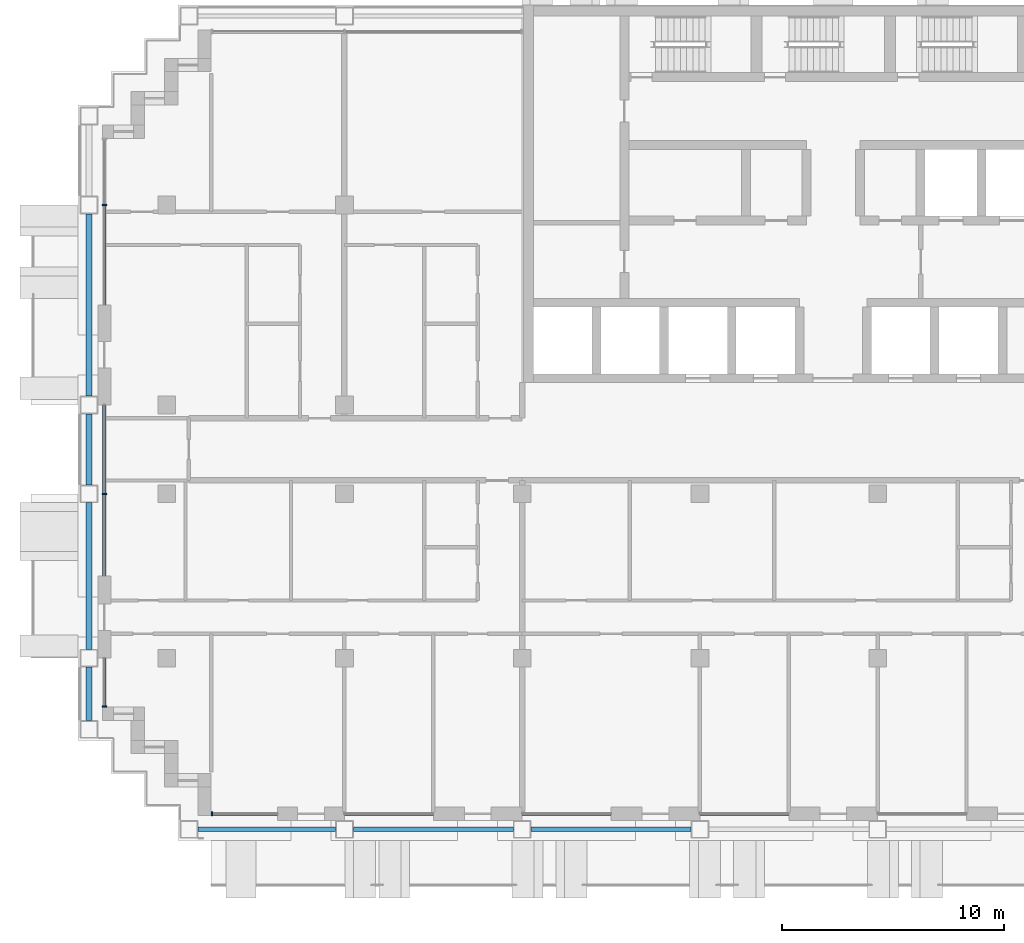
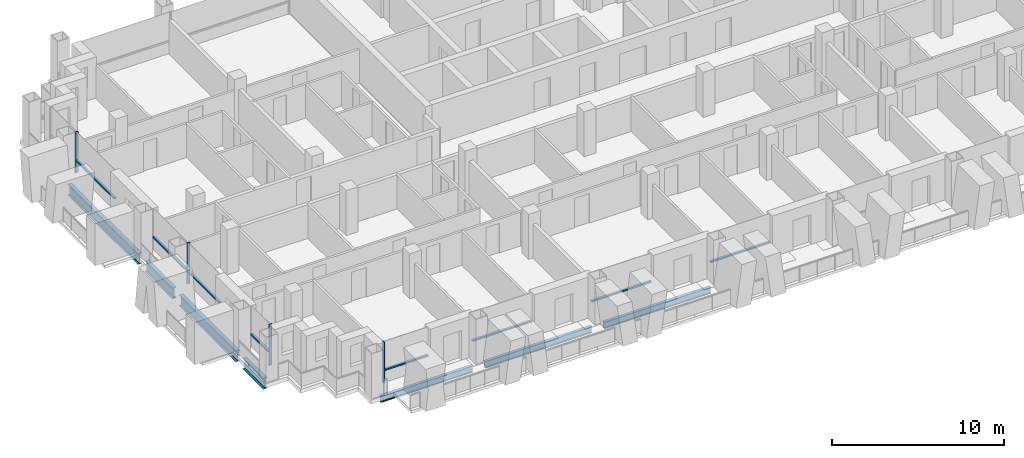
# One storey, part 2 of 18: 12 members, 7 beams, 7 elements without a shape of their own.
"""IFC4 building model written with IfcOpenShell, lengths in metres."""

from ifc_helpers import new_model, si_unit, direction, frame, origin, origin_2d, place, context, subcontext, project, spatial, rectangle, i_section, extrude, material, material_profile, profile_set, type_object, element, aggregate, save


model = new_model("IFC4")

# Units and contexts
model_context = context("Model", 3, precision=1e-05, world=origin(), true_north=direction((0.0, 1.0)))
body_context = subcontext(model_context, "Body", "Model", "MODEL_VIEW")
ifc_project = project(units=[si_unit("LENGTHUNIT", "METRE"), si_unit("AREAUNIT", "SQUARE_METRE"), si_unit("VOLUMEUNIT", "CUBIC_METRE"), si_unit("PLANEANGLEUNIT", "RADIAN"), si_unit("MASSUNIT", "GRAM", prefix="KILO")], contexts=[model_context])

# Site, building, storey
site_placement = place(None, origin())
site = spatial("IfcSite", under=ifc_project, at=site_placement, CompositionType="ELEMENT")
building_placement = place(site_placement, origin())
building = spatial("IfcBuilding", under=site, at=building_placement, Name="Vidyagriha Tower", CompositionType="ELEMENT")
storey_placement = place(building_placement, frame((0.0, 0.0, 142.199951171875)))
storey = spatial("IfcBuildingStorey", under=building, at=storey_placement, Name="L37", CompositionType="ELEMENT", Elevation=142.199951171875)

# Beams
ifc_material_1 = material(Name="Steel ASTM A992 Grade 50", Category="steel")
ifc_material_profile_1 = material_profile(ifc_material_1, i_section(OverallWidth=0.2666015625, OverallDepth=0.76953125, WebThickness=0.015625, FlangeThickness=0.025390625, at=origin_2d()), Name="W30X132")
ifc_profile_set_1 = profile_set([ifc_material_profile_1], Name="Steel ASTM A992 Grade 50")
beam_type_1 = type_object("IfcBeamType", Name="Cantilever edge beam W30X132", PredefinedType="SPANDREL", material=ifc_profile_set_1)
beam_1_placement = place(storey_placement, frame((-33.5, -12.199951171875, -0.664794921875), z_axis=(0.0, 1.0, 0.0), x_axis=(-1.0, 0.0, 0.0)))
element("IfcBeam", 1, at=beam_1_placement, inside=storey, type_object=beam_type_1, Name="st-beam-L37-W09", PredefinedType="SPANDREL", context=body_context, shape_type="SweptSolid", body=[
    extrude(i_section(OverallWidth=0.2666015625, OverallDepth=0.76953125, WebThickness=0.015625, FlangeThickness=0.025390625, at=origin_2d()), origin(), (0.0, 0.0, 1.0), 2.39990234375),
])
beam_2_placement = place(storey_placement, frame((-33.5, -9.0, -0.664794921875), z_axis=(0.0, 1.0, 0.0), x_axis=(-1.0, 0.0, 0.0)))
element("IfcBeam", 2, at=beam_2_placement, inside=storey, type_object=beam_type_1, Name="st-beam-L37-W10", PredefinedType="SPANDREL", context=body_context, shape_type="SweptSolid", body=[
    extrude(i_section(OverallWidth=0.2666015625, OverallDepth=0.76953125, WebThickness=0.015625, FlangeThickness=0.025390625, at=origin_2d()), origin(), (0.0, 0.0, 1.0), 6.60009765625),
])
beam_3_placement = place(storey_placement, frame((-33.5, -1.60009765625, -0.664794921875), z_axis=(0.0, 1.0, 0.0), x_axis=(-1.0, 0.0, 0.0)))
element("IfcBeam", 3, at=beam_3_placement, inside=storey, type_object=beam_type_1, Name="st-beam-L37-W11", PredefinedType="SPANDREL", context=body_context, shape_type="SweptSolid", body=[
    extrude(i_section(OverallWidth=0.2666015625, OverallDepth=0.76953125, WebThickness=0.015625, FlangeThickness=0.025390625, at=origin_2d()), origin(), (0.0, 0.0, 1.0), 3.2001953125),
])
beam_4_placement = place(storey_placement, frame((-33.5, 2.39990234375, -0.664794921875), z_axis=(0.0, 1.0, 0.0), x_axis=(-1.0, 0.0, 0.0)))
element("IfcBeam", 4, at=beam_4_placement, inside=storey, type_object=beam_type_1, Name="st-beam-L37-W12", PredefinedType="SPANDREL", context=body_context, shape_type="SweptSolid", body=[
    extrude(i_section(OverallWidth=0.2666015625, OverallDepth=0.76953125, WebThickness=0.015625, FlangeThickness=0.025390625, at=origin_2d()), origin(), (0.0, 0.0, 1.0), 8.2001953125),
])
ifc_material_2 = material(Name="Steel ASTM A992 Grade 50", Category="steel")
ifc_material_profile_2 = material_profile(ifc_material_2, i_section(OverallWidth=0.19189453125, OverallDepth=0.46240234375, WebThickness=0.010498046875, FlangeThickness=0.017578125, at=origin_2d()), Name="W18X60")
ifc_profile_set_2 = profile_set([ifc_material_profile_2], Name="Steel ASTM A992 Grade 50")
beam_type_2 = type_object("IfcBeamType", Name="Edge beam W18X60", PredefinedType="SPANDREL", material=ifc_profile_set_2)
beam_5_placement = place(storey_placement, frame((-28.60009765625, -17.10009765625, -0.510986328125), z_axis=(1.0, 0.0, 0.0), x_axis=(0.0, 1.0, 0.0)))
element("IfcBeam", 5, at=beam_5_placement, inside=storey, type_object=beam_type_2, Name="st-beam-L37-S01", PredefinedType="SPANDREL", context=body_context, shape_type="SweptSolid", body=[
    extrude(i_section(OverallWidth=0.19189453125, OverallDepth=0.46240234375, WebThickness=0.010498046875, FlangeThickness=0.017578125, at=origin_2d()), origin(), (0.0, 0.0, 1.0), 6.2001953125),
])
for number, where, z_axis, x_axis, name in (
    (6, (-21.60009765625, -17.10009765625, -0.510986328125), (1.0, 0.0, 0.0), (0.0, 1.0, 0.0), "st-beam-L37-S02"),
    (7, (-13.60009765625, -17.10009765625, -0.510986328125), (1.0, 0.0, 0.0), (0.0, 1.0, 0.0), "st-beam-L37-S03"),
):
    element("IfcBeam", number, at=place(storey_placement, frame(where, z_axis=z_axis, x_axis=x_axis)), inside=storey, type_object=beam_type_2, Name=name, PredefinedType="SPANDREL", context=body_context, shape_type="SweptSolid", body=[
        extrude(i_section(OverallWidth=0.19189453125, OverallDepth=0.46240234375, WebThickness=0.010498046875, FlangeThickness=0.017578125, at=origin_2d()), origin(), (0.0, 0.0, 1.0), 7.2001953125),
    ])

# Curtain wall, member
ifc_material_3 = material(Name="Aluminium and glass curtain wall", Category="aluminium")
curtain_wall_type = type_object("IfcCurtainWallType", Name="Dwelling skin unitised curtain wall", PredefinedType="USERDEFINED", material=ifc_material_3)
curtain_wall_1_placement = place(storey_placement, origin())
curtain_wall_1 = element("IfcCurtainWall", 8, at=curtain_wall_1_placement, inside=storey, type_object=curtain_wall_type, Name="CW1 dwelling skin", ObjectType="UNITISED", PredefinedType="USERDEFINED")
ifc_material_4 = material(Name="Aluminium black anodised", Category="aluminium")
ifc_material_profile_3 = material_profile(ifc_material_4, rectangle(XDim=0.199951171875, YDim=0.070068359375, at=origin_2d()), Name="Mullion 70x200 black aluminium")
ifc_profile_set_3 = profile_set([ifc_material_profile_3], Name="Aluminium black anodised")
member_type_1 = type_object("IfcMemberType", Name="Mullion 70x200 black aluminium", PredefinedType="MULLION", material=ifc_profile_set_3)
member_1_placement = place(storey_placement, frame((-32.800048828125, 11.0, 0.0)))
member_1 = element("IfcMember", 9, at=member_1_placement, type_object=member_type_1, Name="CW1 mullion 2", PredefinedType="MULLION", context=body_context, shape_type="SweptSolid", body=[
    extrude(rectangle(XDim=0.199951171875, YDim=0.070068359375, at=origin_2d()), origin(), (0.0, 0.0, 1.0), 2.920166015625),
])

curtain_wall_2_placement = place(storey_placement, origin())
curtain_wall_2 = element("IfcCurtainWall", 10, at=curtain_wall_2_placement, inside=storey, type_object=curtain_wall_type, Name="CW1 dwelling skin", ObjectType="UNITISED", PredefinedType="USERDEFINED")
member_2_placement = place(storey_placement, frame((-32.800048828125, -2.0, 0.0)))
member_2 = element("IfcMember", 11, at=member_2_placement, type_object=member_type_1, Name="CW1 mullion 2", PredefinedType="MULLION", context=body_context, shape_type="SweptSolid", body=[
    extrude(rectangle(XDim=0.199951171875, YDim=0.070068359375, at=origin_2d()), origin(), (0.0, 0.0, 1.0), 2.920166015625),
])

curtain_wall_3_placement = place(storey_placement, origin())
curtain_wall_3 = element("IfcCurtainWall", 12, at=curtain_wall_3_placement, inside=storey, type_object=curtain_wall_type, Name="CW1 dwelling skin", ObjectType="UNITISED", PredefinedType="USERDEFINED")
member_3_placement = place(storey_placement, frame((-32.800048828125, -11.56494140625, 0.0)))
member_3 = element("IfcMember", 13, at=member_3_placement, type_object=member_type_1, Name="CW1 mullion 2", PredefinedType="MULLION", context=body_context, shape_type="SweptSolid", body=[
    extrude(rectangle(XDim=0.199951171875, YDim=0.070068359375, at=origin_2d()), origin(), (0.0, 0.0, 1.0), 2.920166015625),
])

curtain_wall_4_placement = place(storey_placement, origin())
curtain_wall_4 = element("IfcCurtainWall", 14, at=curtain_wall_4_placement, inside=storey, type_object=curtain_wall_type, Name="CW1 dwelling skin", ObjectType="UNITISED", PredefinedType="USERDEFINED")
member_4_placement = place(storey_placement, frame((-27.965087890625, -16.39990234375, 0.0), z_axis=(0.0, 0.0, 1.0), x_axis=(0.0, 1.0, 0.0)))
member_4 = element("IfcMember", 15, at=member_4_placement, type_object=member_type_1, Name="CW1 mullion 1", PredefinedType="MULLION", context=body_context, shape_type="SweptSolid", body=[
    extrude(rectangle(XDim=0.199951171875, YDim=0.070068359375, at=origin_2d()), origin(), (0.0, 0.0, 1.0), 2.920166015625),
])

# Member
ifc_material_5 = material(Name="Aluminium black anodised", Category="aluminium")
ifc_material_profile_4 = material_profile(ifc_material_5, rectangle(XDim=0.159912109375, YDim=0.10009765625, at=origin_2d()), Name="Transom 100x160 black aluminium")
ifc_profile_set_4 = profile_set([ifc_material_profile_4], Name="Aluminium black anodised")
member_type_2 = type_object("IfcMemberType", Name="Transom 100x160 black aluminium", PredefinedType="USERDEFINED", material=ifc_profile_set_4)
member_5_placement = place(storey_placement, frame((-32.800048828125, 10.965087890625, 0.900146484375), z_axis=(0.0, -1.0, 0.0), x_axis=(1.0, 0.0, 0.0)))
member_5 = element("IfcMember", 16, at=member_5_placement, type_object=member_type_2, Name="CW1 transom 2.1", ObjectType="TRANSOM", PredefinedType="USERDEFINED", context=body_context, shape_type="SweptSolid", body=[
    extrude(rectangle(XDim=0.159912109375, YDim=0.10009765625, at=origin_2d()), origin(), (0.0, 0.0, 1.0), 4.465087890625),
])

aggregate(curtain_wall_1, [member_1, member_5])

member_6_placement = place(storey_placement, frame((-32.800048828125, 2.0, 0.900146484375), z_axis=(0.0, -1.0, 0.0), x_axis=(1.0, 0.0, 0.0)))
member_6 = element("IfcMember", 17, at=member_6_placement, type_object=member_type_2, Name="CW1 transom 1.1", ObjectType="TRANSOM", PredefinedType="USERDEFINED", context=body_context, shape_type="SweptSolid", body=[
    extrude(rectangle(XDim=0.159912109375, YDim=0.10009765625, at=origin_2d()), origin(), (0.0, 0.0, 1.0), 3.965087890625),
])

member_7_placement = place(storey_placement, frame((-32.800048828125, -2.034912109375, 0.900146484375), z_axis=(0.0, -1.0, 0.0), x_axis=(1.0, 0.0, 0.0)))
member_7 = element("IfcMember", 18, at=member_7_placement, type_object=member_type_2, Name="CW1 transom 2.1", ObjectType="TRANSOM", PredefinedType="USERDEFINED", context=body_context, shape_type="SweptSolid", body=[
    extrude(rectangle(XDim=0.159912109375, YDim=0.10009765625, at=origin_2d()), origin(), (0.0, 0.0, 1.0), 3.6650390625),
])

aggregate(curtain_wall_2, [member_2, member_6, member_7])

member_8_placement = place(storey_placement, frame((-32.800048828125, -9.39990234375, 0.900146484375), z_axis=(0.0, -1.0, 0.0), x_axis=(1.0, 0.0, 0.0)))
member_8 = element("IfcMember", 19, at=member_8_placement, type_object=member_type_2, Name="CW1 transom 1.1", ObjectType="TRANSOM", PredefinedType="USERDEFINED", context=body_context, shape_type="SweptSolid", body=[
    extrude(rectangle(XDim=0.159912109375, YDim=0.10009765625, at=origin_2d()), origin(), (0.0, 0.0, 1.0), 2.130126953125),
])

aggregate(curtain_wall_3, [member_3, member_8])

member_9_placement = place(storey_placement, frame((-27.929931640625, -16.39990234375, 0.900146484375), z_axis=(1.0, 0.0, 0.0), x_axis=(0.0, 1.0, 0.0)))
member_9 = element("IfcMember", 20, at=member_9_placement, type_object=member_type_2, Name="CW1 transom 1.1", ObjectType="TRANSOM", PredefinedType="USERDEFINED", context=body_context, shape_type="SweptSolid", body=[
    extrude(rectangle(XDim=0.159912109375, YDim=0.10009765625, at=origin_2d()), origin(), (0.0, 0.0, 1.0), 2.929931640625),
])

aggregate(curtain_wall_4, [member_4, member_9])

# Curtain wall, member
curtain_wall_5_placement = place(storey_placement, origin())
curtain_wall_5 = element("IfcCurtainWall", 21, at=curtain_wall_5_placement, inside=storey, type_object=curtain_wall_type, Name="CW1 dwelling skin", ObjectType="UNITISED", PredefinedType="USERDEFINED")
member_10_placement = place(storey_placement, frame((-22.0, -16.39990234375, 0.900146484375), z_axis=(1.0, 0.0, 0.0), x_axis=(0.0, 1.0, 0.0)))
member_10 = element("IfcMember", 22, at=member_10_placement, type_object=member_type_2, Name="CW1 transom 1.1", ObjectType="TRANSOM", PredefinedType="USERDEFINED", context=body_context, shape_type="SweptSolid", body=[
    extrude(rectangle(XDim=0.159912109375, YDim=0.10009765625, at=origin_2d()), origin(), (0.0, 0.0, 1.0), 4.0),
])
aggregate(curtain_wall_5, [member_10])

curtain_wall_6_placement = place(storey_placement, origin())
curtain_wall_6 = element("IfcCurtainWall", 23, at=curtain_wall_6_placement, inside=storey, type_object=curtain_wall_type, Name="CW1 dwelling skin", ObjectType="UNITISED", PredefinedType="USERDEFINED")
member_11_placement = place(storey_placement, frame((-14.0, -16.39990234375, 0.900146484375), z_axis=(1.0, 0.0, 0.0), x_axis=(0.0, 1.0, 0.0)))
member_11 = element("IfcMember", 24, at=member_11_placement, type_object=member_type_2, Name="CW1 transom 1.1", ObjectType="TRANSOM", PredefinedType="USERDEFINED", context=body_context, shape_type="SweptSolid", body=[
    extrude(rectangle(XDim=0.159912109375, YDim=0.10009765625, at=origin_2d()), origin(), (0.0, 0.0, 1.0), 4.0),
])
aggregate(curtain_wall_6, [member_11])

curtain_wall_7_placement = place(storey_placement, origin())
curtain_wall_7 = element("IfcCurtainWall", 25, at=curtain_wall_7_placement, inside=storey, type_object=curtain_wall_type, Name="CW1 dwelling skin", ObjectType="UNITISED", PredefinedType="USERDEFINED")
member_12_placement = place(storey_placement, frame((-6.0, -16.39990234375, 0.900146484375), z_axis=(1.0, 0.0, 0.0), x_axis=(0.0, 1.0, 0.0)))
member_12 = element("IfcMember", 26, at=member_12_placement, type_object=member_type_2, Name="CW1 transom 1.1", ObjectType="TRANSOM", PredefinedType="USERDEFINED", context=body_context, shape_type="SweptSolid", body=[
    extrude(rectangle(XDim=0.159912109375, YDim=0.10009765625, at=origin_2d()), origin(), (0.0, 0.0, 1.0), 4.0),
])
aggregate(curtain_wall_7, [member_12])

save(model, "model.ifc")
